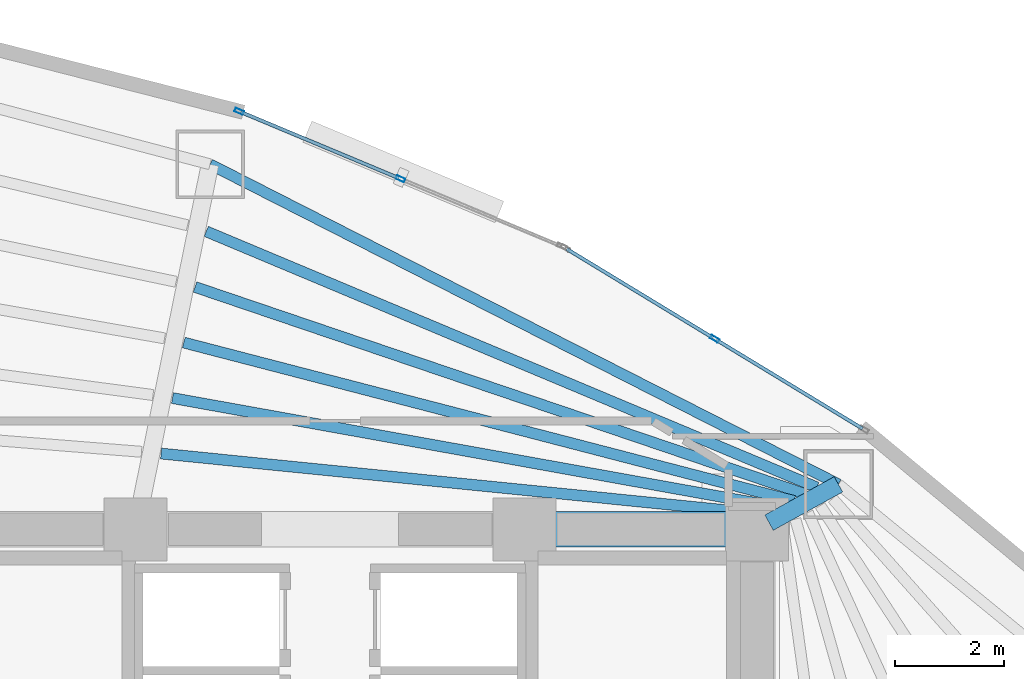
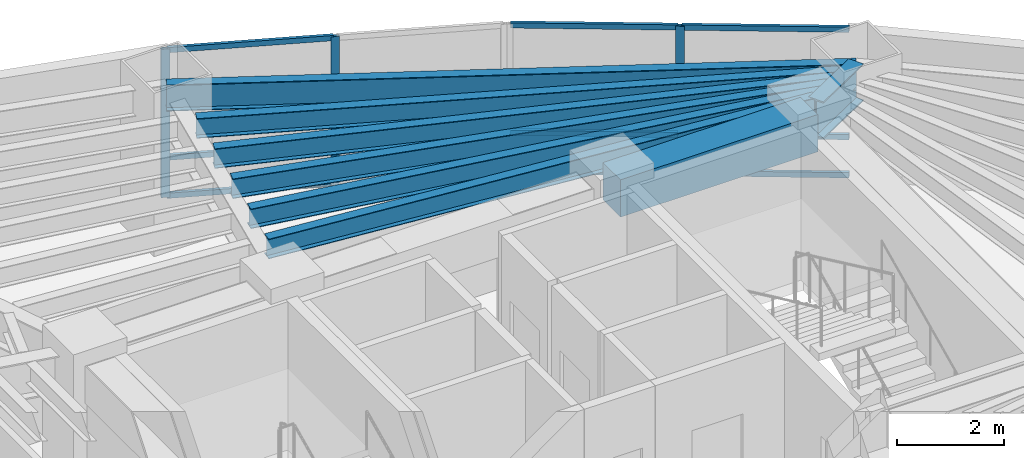
# One storey, part 9 of 16: 12 members, 8 beams, 2 elements without a shape of their own.
"""IFC4 building model written with IfcOpenShell, lengths in metres."""

from ifc_helpers import new_model, si_unit, direction, frame, origin, origin_2d, place, context, subcontext, project, spatial, rectangle, hollow_rectangle, i_section, extrude, material, layer, layer_set, material_profile, profile_set, type_object, element, aggregate, save


model = new_model("IFC4")

# Units and contexts
model_context = context("Model", 3, precision=1e-05, world=origin(), true_north=direction((0.0, 1.0)))
body_context = subcontext(model_context, "Body", "Model", "MODEL_VIEW")
ifc_project = project(units=[si_unit("LENGTHUNIT", "METRE"), si_unit("AREAUNIT", "SQUARE_METRE"), si_unit("VOLUMEUNIT", "CUBIC_METRE"), si_unit("PLANEANGLEUNIT", "RADIAN"), si_unit("MASSUNIT", "GRAM", prefix="KILO")], contexts=[model_context])

# Site, building, storey
site_placement = place(None, origin())
site = spatial("IfcSite", under=ifc_project, at=site_placement, CompositionType="ELEMENT")
building_placement = place(site_placement, origin())
building = spatial("IfcBuilding", under=site, at=building_placement, Name="Menara Vayukalpa", CompositionType="ELEMENT")
storey_placement = place(building_placement, frame((0.0, 0.0, 79.679931640625)))
storey = spatial("IfcBuildingStorey", under=building, at=storey_placement, Name="L19", CompositionType="ELEMENT", Elevation=79.679931640625)

# Beams
ifc_material_1 = material(Name="Concrete C60/75", Category="concrete")
ifc_material_profile_1 = material_profile(ifc_material_1, rectangle(XDim=0.64990234375, YDim=0.85009765625, at=origin_2d()), Name="RC 650x850")
ifc_profile_set_1 = profile_set([ifc_material_profile_1], Name="Concrete C60/75")
beam_type_1 = type_object("IfcBeamType", Name="BM-CB1", PredefinedType="BEAM", material=ifc_profile_set_1)
beam_1_placement = place(storey_placement, frame((29.14990234375, 26.800048828125, 2.955078125), z_axis=(1.0, 0.0, 0.0), x_axis=(0.0, 1.0, 0.0)))
element("IfcBeam", 1, at=beam_1_placement, inside=storey, type_object=beam_type_1, Name="L19 Core Tie Beam CBR6", PredefinedType="BEAM", context=body_context, shape_type="SweptSolid", body=[
    extrude(rectangle(XDim=0.64990234375, YDim=0.85009765625, at=origin_2d()), origin(), (0.0, 0.0, 1.0), 4.25),
])
ifc_material_2 = material(Name="Steel S355", Category="steel")
ifc_material_profile_2 = material_profile(ifc_material_2, i_section(OverallWidth=0.320068359375, OverallDepth=0.85009765625, WebThickness=0.01611328125, FlangeThickness=0.030029296875, at=origin_2d()), Name="WF 850x320x16x30")
ifc_profile_set_2 = profile_set([ifc_material_profile_2], Name="Steel S355")
beam_type_2 = type_object("IfcBeamType", Name="BM-PG2", PredefinedType="BEAM", material=ifc_profile_set_2)
beam_2_placement = place(storey_placement, frame((33.618896484375, 26.9208984375, 2.955078125), z_axis=(0.875228391676, 0.48370989488, 0.0), x_axis=(-0.48370989488, 0.875228391676, 0.0)))
element("IfcBeam", 2, at=beam_2_placement, inside=storey, type_object=beam_type_2, Name="L19 Primary Radial Girder RG02", PredefinedType="BEAM", context=body_context, shape_type="SweptSolid", body=[
    extrude(i_section(OverallWidth=0.320068359375, OverallDepth=0.85009765625, WebThickness=0.01611328125, FlangeThickness=0.030029296875, at=origin_2d()), origin(), (0.0, 0.0, 1.0), 1.448486328125),
])
ifc_material_3 = material(Name="Steel S355", Category="steel")
ifc_material_profile_3 = material_profile(ifc_material_3, i_section(OverallWidth=0.199951171875, OverallDepth=0.449951171875, WebThickness=0.009033203125, FlangeThickness=0.013916015625, at=origin_2d()), Name="WF 450x200x9x14")
ifc_profile_set_3 = profile_set([ifc_material_profile_3], Name="Steel S355")
beam_type_3 = type_object("IfcBeamType", Name="BM-SJ1", PredefinedType="JOIST", material=ifc_profile_set_3)
beam_3_placement = place(storey_placement, frame((33.66796875, 27.06494140625, 3.155029296875), z_axis=(-0.995012360471, 0.0997517043, 0.0), x_axis=(-0.0997517043, -0.995012360471, 0.0)))
element("IfcBeam", 3, at=beam_3_placement, inside=storey, type_object=beam_type_3, Name="L19 Secondary Floor Joist SJ02-1", PredefinedType="JOIST", context=body_context, shape_type="SweptSolid", body=[
    extrude(i_section(OverallWidth=0.199951171875, OverallDepth=0.449951171875, WebThickness=0.009033203125, FlangeThickness=0.013916015625, at=origin_2d()), origin(), (0.0, 0.0, 1.0), 11.20947265625),
])
beam_4_placement = place(storey_placement, frame((33.872802734375, 27.19091796875, 3.155029296875), z_axis=(-0.984203304908, 0.177041957199, 0.0), x_axis=(-0.177041957199, -0.984203304908, 0.0)))
element("IfcBeam", 4, at=beam_4_placement, inside=storey, type_object=beam_type_3, Name="L19 Secondary Floor Joist SJ02-2", PredefinedType="JOIST", context=body_context, shape_type="SweptSolid", body=[
    extrude(i_section(OverallWidth=0.199951171875, OverallDepth=0.449951171875, WebThickness=0.009033203125, FlangeThickness=0.013916015625, at=origin_2d()), origin(), (0.0, 0.0, 1.0), 11.329833984375),
])
beam_5_placement = place(storey_placement, frame((34.07861328125, 27.31640625, 3.155029296875), z_axis=(-0.9679190538, 0.25126222416, 0.0), x_axis=(-0.25126222416, -0.9679190538, 0.0)))
element("IfcBeam", 5, at=beam_5_placement, inside=storey, type_object=beam_type_3, Name="L19 Secondary Floor Joist SJ02-3", PredefinedType="JOIST", context=body_context, shape_type="SweptSolid", body=[
    extrude(i_section(OverallWidth=0.199951171875, OverallDepth=0.449951171875, WebThickness=0.009033203125, FlangeThickness=0.013916015625, at=origin_2d()), origin(), (0.0, 0.0, 1.0), 11.52001953125),
])
beam_6_placement = place(storey_placement, frame((34.28515625, 27.44140625, 3.155029296875), z_axis=(-0.946954817661, 0.321366727134, 0.0), x_axis=(-0.321366727134, -0.946954817661, 0.0)))
element("IfcBeam", 6, at=beam_6_placement, inside=storey, type_object=beam_type_3, Name="L19 Secondary Floor Joist SJ02-4", PredefinedType="JOIST", context=body_context, shape_type="SweptSolid", body=[
    extrude(i_section(OverallWidth=0.199951171875, OverallDepth=0.449951171875, WebThickness=0.009033203125, FlangeThickness=0.013916015625, at=origin_2d()), origin(), (0.0, 0.0, 1.0), 11.776123046875),
])
beam_7_placement = place(storey_placement, frame((34.49267578125, 27.565185546875, 3.155029296875), z_axis=(-0.922223639508, 0.386656900536, 0.0), x_axis=(-0.386656900536, -0.922223639508, 0.0)))
element("IfcBeam", 7, at=beam_7_placement, inside=storey, type_object=beam_type_3, Name="L19 Secondary Floor Joist SJ02-5", PredefinedType="JOIST", context=body_context, shape_type="SweptSolid", body=[
    extrude(i_section(OverallWidth=0.199951171875, OverallDepth=0.449951171875, WebThickness=0.009033203125, FlangeThickness=0.013916015625, at=origin_2d()), origin(), (0.0, 0.0, 1.0), 12.0947265625),
])
ifc_material_4 = material(Name="Steel S355", Category="steel")
ifc_material_profile_4 = material_profile(ifc_material_4, i_section(OverallWidth=0.199951171875, OverallDepth=0.60009765625, WebThickness=0.010986328125, FlangeThickness=0.01708984375, at=origin_2d()), Name="WF 600x200x11x17")
ifc_profile_set_4 = profile_set([ifc_material_profile_4], Name="Steel S355")
beam_type_4 = type_object("IfcBeamType", Name="BM-SP1", PredefinedType="SPANDREL", material=ifc_profile_set_4)
beam_8_placement = place(storey_placement, frame((34.88671875, 27.62158203125, 3.080078125), z_axis=(-0.891097345221, 0.453812209333, 0.0), x_axis=(-0.453812209333, -0.891097345221, 0.0)))
element("IfcBeam", 8, at=beam_8_placement, inside=storey, type_object=beam_type_4, Name="L19 Perimeter Spandrel Beam SP02", PredefinedType="SPANDREL", context=body_context, shape_type="SweptSolid", body=[
    extrude(i_section(OverallWidth=0.199951171875, OverallDepth=0.60009765625, WebThickness=0.010986328125, FlangeThickness=0.01708984375, at=origin_2d()), origin(), (0.0, 0.0, 1.0), 12.88134765625),
])

# Curtain wall, member
ifc_material_5 = material(Name="Anodised Terracotta Aluminium Alloy 6063-T6", Category="masonry")
ifc_layer = layer(ifc_material_5, 0.1650390625)
ifc_layer_set = layer_set([ifc_layer], Name="Anodised Terracotta Aluminium Alloy 6063-T6")
curtain_wall_type = type_object("IfcCurtainWallType", Name="CW-CW2", PredefinedType="USERDEFINED", material=ifc_layer_set)
curtain_wall_1_placement = place(storey_placement, origin())
curtain_wall_1 = element("IfcCurtainWall", 9, at=curtain_wall_1_placement, inside=storey, type_object=curtain_wall_type, Name="L19 Low Rise Terracotta Ribbon Curtain Wall CW2 04", ObjectType="UNITISED", PredefinedType="USERDEFINED")
ifc_material_6 = material(Name="Anodised Terracotta Aluminium Alloy 6063-T6", Category="masonry")
ifc_material_profile_5 = material_profile(ifc_material_6, hollow_rectangle(XDim=0.070068359375, YDim=0.1650390625, WallThickness=0.00390625, at=origin_2d()), Name="ALU 70x165x4")
ifc_profile_set_5 = profile_set([ifc_material_profile_5], Name="Anodised Terracotta Aluminium Alloy 6063-T6")
member_type_1 = type_object("IfcMemberType", Name="CWM-CW2", PredefinedType="MULLION", material=ifc_profile_set_5)
member_1_placement = place(storey_placement, frame((32.6259765625, 30.278564453125, 0.0), z_axis=(0.0, 0.0, 1.0), x_axis=(-0.519182959112, -0.854663123674, 0.0)))
member_1 = element("IfcMember", 10, at=member_1_placement, type_object=member_type_1, Name="CW2 mullion 2", PredefinedType="MULLION", context=body_context, shape_type="SweptSolid", body=[
    extrude(hollow_rectangle(XDim=0.070068359375, YDim=0.1650390625, WallThickness=0.00390625, at=origin_2d()), origin(), (0.0, 0.0, 1.0), 3.380126953125),
])

# Curtain wall, members
curtain_wall_2_placement = place(storey_placement, origin())
curtain_wall_2 = element("IfcCurtainWall", 11, at=curtain_wall_2_placement, inside=storey, type_object=curtain_wall_type, Name="L19 Low Rise Terracotta Ribbon Curtain Wall CW2 05", ObjectType="UNITISED", PredefinedType="USERDEFINED")
member_2_placement = place(storey_placement, frame((26.88671875, 33.201416015625, 0.0), z_axis=(0.0, 0.0, 1.0), x_axis=(-0.38589358437, -0.922543300632, 0.0)))
member_2 = element("IfcMember", 12, at=member_2_placement, type_object=member_type_1, Name="CW2 mullion 2", PredefinedType="MULLION", context=body_context, shape_type="SweptSolid", body=[
    extrude(hollow_rectangle(XDim=0.070068359375, YDim=0.1650390625, WallThickness=0.00390625, at=origin_2d()), origin(), (0.0, 0.0, 1.0), 3.380126953125),
])
member_3_placement = place(storey_placement, frame((23.939697265625, 34.43408203125, 0.0), z_axis=(0.0, 0.0, 1.0), x_axis=(-0.38589358437, -0.922543300632, 0.0)))
member_3 = element("IfcMember", 13, at=member_3_placement, type_object=member_type_1, Name="CW2 mullion 3", PredefinedType="MULLION", context=body_context, shape_type="SweptSolid", body=[
    extrude(hollow_rectangle(XDim=0.070068359375, YDim=0.1650390625, WallThickness=0.00390625, at=origin_2d()), origin(), (0.0, 0.0, 1.0), 3.380126953125),
])

# Member
ifc_material_7 = material(Name="Anodised Terracotta Aluminium Alloy 6063-T6", Category="masonry")
ifc_material_profile_6 = material_profile(ifc_material_7, hollow_rectangle(XDim=0.06494140625, YDim=0.1201171875, WallThickness=0.00341796875, at=origin_2d()), Name="ALU 65x120x3.5")
ifc_profile_set_6 = profile_set([ifc_material_profile_6], Name="Anodised Terracotta Aluminium Alloy 6063-T6")
member_type_2 = type_object("IfcMemberType", Name="CWT-CW2", PredefinedType="USERDEFINED", material=ifc_profile_set_6)
member_4_placement = place(storey_placement, frame((35.326171875, 28.63818359375, 0.032470703125), z_axis=(-0.854646359065, 0.519210555494, 0.0), x_axis=(-0.519210555494, -0.854646359065, 0.0)))
member_4 = element("IfcMember", 14, at=member_4_placement, type_object=member_type_2, Name="CW2 transom 1.1", ObjectType="TRANSOM", PredefinedType="USERDEFINED", context=body_context, shape_type="SweptSolid", body=[
    extrude(hollow_rectangle(XDim=0.06494140625, YDim=0.1201171875, WallThickness=0.00341796875, at=origin_2d()), origin(), (0.0, 0.0, 1.0), 3.12451171875),
])

member_5_placement = place(storey_placement, frame((35.326171875, 28.63818359375, 0.900146484375), z_axis=(-0.854646359065, 0.519210555494, 0.0), x_axis=(-0.519210555494, -0.854646359065, 0.0)))
member_5 = element("IfcMember", 15, at=member_5_placement, type_object=member_type_2, Name="CW2 transom 1.2", ObjectType="TRANSOM", PredefinedType="USERDEFINED", context=body_context, shape_type="SweptSolid", body=[
    extrude(hollow_rectangle(XDim=0.06494140625, YDim=0.1201171875, WallThickness=0.00341796875, at=origin_2d()), origin(), (0.0, 0.0, 1.0), 3.12451171875),
])

member_6_placement = place(storey_placement, frame((35.326171875, 28.63818359375, 3.34765625), z_axis=(-0.854646359065, 0.519210555494, 0.0), x_axis=(-0.519210555494, -0.854646359065, 0.0)))
member_6 = element("IfcMember", 16, at=member_6_placement, type_object=member_type_2, Name="CW2 transom 1.3", ObjectType="TRANSOM", PredefinedType="USERDEFINED", context=body_context, shape_type="SweptSolid", body=[
    extrude(hollow_rectangle(XDim=0.06494140625, YDim=0.1201171875, WallThickness=0.00341796875, at=origin_2d()), origin(), (0.0, 0.0, 1.0), 3.12451171875),
])

member_7_placement = place(storey_placement, frame((32.595947265625, 30.296630859375, 0.032470703125), z_axis=(-0.854625293212, 0.519245229349, 0.0), x_axis=(-0.519245229349, -0.854625293212, 0.0)))
member_7 = element("IfcMember", 17, at=member_7_placement, type_object=member_type_2, Name="CW2 transom 2.1", ObjectType="TRANSOM", PredefinedType="USERDEFINED", context=body_context, shape_type="SweptSolid", body=[
    extrude(hollow_rectangle(XDim=0.06494140625, YDim=0.1201171875, WallThickness=0.00341796875, at=origin_2d()), origin(), (0.0, 0.0, 1.0), 3.124267578125),
])

member_8_placement = place(storey_placement, frame((32.595947265625, 30.296630859375, 0.900146484375), z_axis=(-0.854625293212, 0.519245229349, 0.0), x_axis=(-0.519245229349, -0.854625293212, 0.0)))
member_8 = element("IfcMember", 18, at=member_8_placement, type_object=member_type_2, Name="CW2 transom 2.2", ObjectType="TRANSOM", PredefinedType="USERDEFINED", context=body_context, shape_type="SweptSolid", body=[
    extrude(hollow_rectangle(XDim=0.06494140625, YDim=0.1201171875, WallThickness=0.00341796875, at=origin_2d()), origin(), (0.0, 0.0, 1.0), 3.124267578125),
])

member_9_placement = place(storey_placement, frame((32.595947265625, 30.296630859375, 3.34765625), z_axis=(-0.854625293212, 0.519245229349, 0.0), x_axis=(-0.519245229349, -0.854625293212, 0.0)))
member_9 = element("IfcMember", 19, at=member_9_placement, type_object=member_type_2, Name="CW2 transom 2.3", ObjectType="TRANSOM", PredefinedType="USERDEFINED", context=body_context, shape_type="SweptSolid", body=[
    extrude(hollow_rectangle(XDim=0.06494140625, YDim=0.1201171875, WallThickness=0.00341796875, at=origin_2d()), origin(), (0.0, 0.0, 1.0), 3.124267578125),
])

aggregate(curtain_wall_1, [member_1, member_4, member_5, member_6, member_7, member_8, member_9])

member_10_placement = place(storey_placement, frame((26.854248046875, 33.21484375, 0.032470703125), z_axis=(-0.922525759021, 0.385935517856, 0.0), x_axis=(-0.385935517856, -0.922525759021, 0.0)))
member_10 = element("IfcMember", 20, at=member_10_placement, type_object=member_type_2, Name="CW2 transom 2.1", ObjectType="TRANSOM", PredefinedType="USERDEFINED", context=body_context, shape_type="SweptSolid", body=[
    extrude(hollow_rectangle(XDim=0.06494140625, YDim=0.1201171875, WallThickness=0.00341796875, at=origin_2d()), origin(), (0.0, 0.0, 1.0), 3.124267578125),
])

member_11_placement = place(storey_placement, frame((26.854248046875, 33.21484375, 0.900146484375), z_axis=(-0.922525759021, 0.385935517856, 0.0), x_axis=(-0.385935517856, -0.922525759021, 0.0)))
member_11 = element("IfcMember", 21, at=member_11_placement, type_object=member_type_2, Name="CW2 transom 2.2", ObjectType="TRANSOM", PredefinedType="USERDEFINED", context=body_context, shape_type="SweptSolid", body=[
    extrude(hollow_rectangle(XDim=0.06494140625, YDim=0.1201171875, WallThickness=0.00341796875, at=origin_2d()), origin(), (0.0, 0.0, 1.0), 3.124267578125),
])

member_12_placement = place(storey_placement, frame((26.854248046875, 33.21484375, 3.34765625), z_axis=(-0.922525759021, 0.385935517856, 0.0), x_axis=(-0.385935517856, -0.922525759021, 0.0)))
member_12 = element("IfcMember", 22, at=member_12_placement, type_object=member_type_2, Name="CW2 transom 2.3", ObjectType="TRANSOM", PredefinedType="USERDEFINED", context=body_context, shape_type="SweptSolid", body=[
    extrude(hollow_rectangle(XDim=0.06494140625, YDim=0.1201171875, WallThickness=0.00341796875, at=origin_2d()), origin(), (0.0, 0.0, 1.0), 3.124267578125),
])

aggregate(curtain_wall_2, [member_2, member_3, member_10, member_11, member_12])

save(model, "model.ifc")
